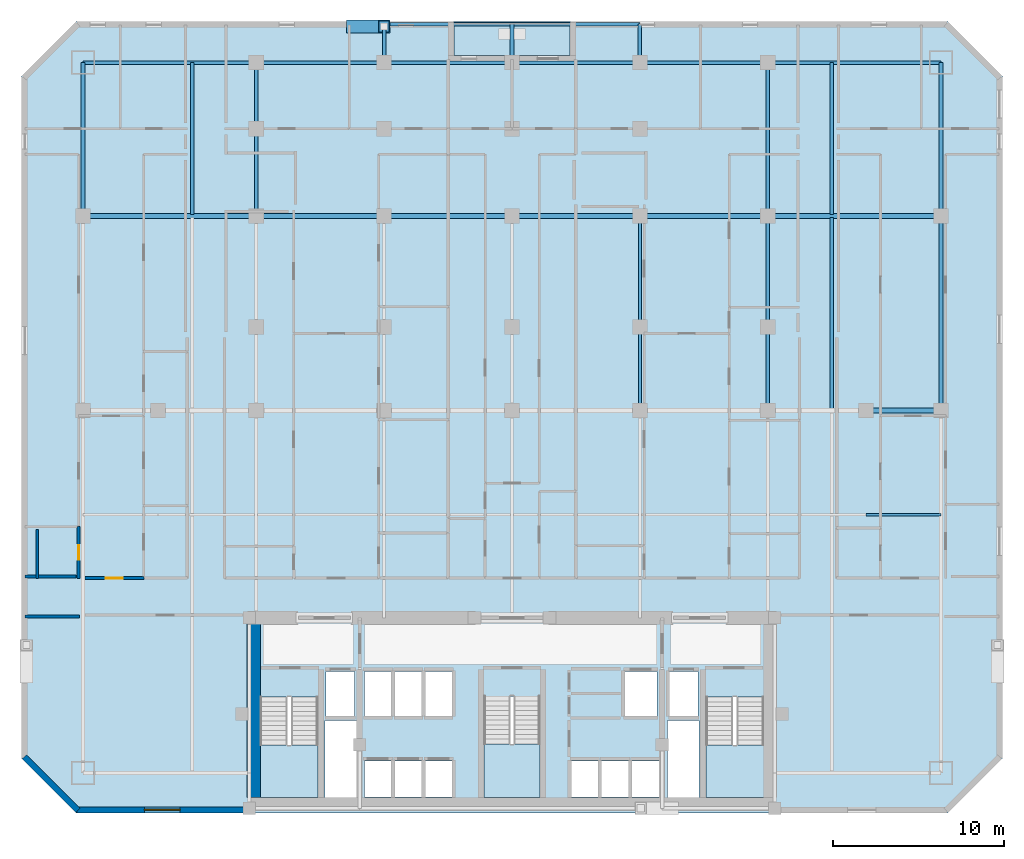
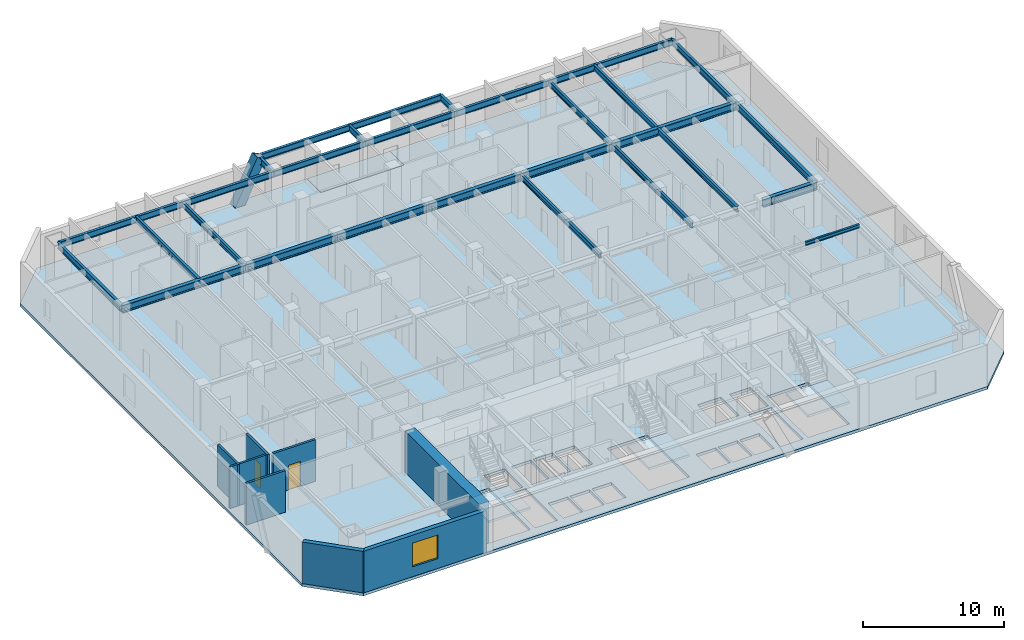
# One storey, part 2 of 10: 29 beams, 8 walls, 5 slabs, 2 doors, 1 member, 1 window, 3 openings, 3 elements without a shape of their own.
"""IFC4 building model written with IfcOpenShell, lengths in metres."""

from ifc_helpers import new_model, si_unit, direction, frame, frame_2d, origin, origin_2d, place, context, subcontext, project, spatial, polyline, rectangle, hollow_rectangle, i_section, outline, extrude, material, layer, layer_set, material_profile, profile_set, type_object, element, fill, aggregate, save


model = new_model("IFC4")

# Units and contexts
model_context = context("Model", 3, precision=1e-05, world=origin(), true_north=direction((0.0, 1.0)))
body_context = subcontext(model_context, "Body", "Model", "MODEL_VIEW")
ifc_project = project(units=[si_unit("LENGTHUNIT", "METRE"), si_unit("AREAUNIT", "SQUARE_METRE"), si_unit("VOLUMEUNIT", "CUBIC_METRE"), si_unit("PLANEANGLEUNIT", "RADIAN"), si_unit("MASSUNIT", "GRAM", prefix="KILO")], contexts=[model_context])

# Site, building, storey
site_placement = place(None, origin())
site = spatial("IfcSite", under=ifc_project, at=site_placement, CompositionType="ELEMENT")
building_placement = place(site_placement, origin())
building = spatial("IfcBuilding", under=site, at=building_placement, Name="Ventersveld Concourse Tower", CompositionType="ELEMENT")
storey_placement = place(building_placement, frame((0.0, 0.0, 41.35009765625)))
storey = spatial("IfcBuildingStorey", under=building, at=storey_placement, Name="L09", CompositionType="ELEMENT", Elevation=41.35009765625)

# Beams
ifc_material_1 = material(Name="Structural steel S355J2", Category="steel")
ifc_material_profile_1 = material_profile(ifc_material_1, i_section(OverallWidth=0.19140625, OverallDepth=0.4599609375, WebThickness=0.010009765625, FlangeThickness=0.01611328125, FilletRadius=0.01025390625, at=origin_2d()), Name="UB 457x191x82")
ifc_profile_set_1 = profile_set([ifc_material_profile_1], Name="Structural steel S355J2")
beam_type_1 = type_object("IfcBeamType", Name="BM-UB457H", PredefinedType="BEAM", material=ifc_profile_set_1)
beam_1_placement = place(storey_placement, frame((10.0, 35.094970703125, 3.369873046875), z_axis=(0.0, 1.0, 0.0), x_axis=(-1.0, 0.0, 0.0)))
element("IfcBeam", 1, at=beam_1_placement, inside=storey, type_object=beam_type_1, Name="L09 N-S Composite Floor Beam North X=10.00", PredefinedType="BEAM", context=body_context, shape_type="SweptSolid", body=[
    extrude(i_section(OverallWidth=0.19140625, OverallDepth=0.4599609375, WebThickness=0.010009765625, FlangeThickness=0.01611328125, FilletRadius=0.01025390625, at=origin_2d()), origin(), (0.0, 0.0, 1.0), 8.905029296875),
])
beam_2_placement = place(storey_placement, frame((13.75, 35.0, 3.369873046875), z_axis=(0.0, 1.0, 0.0), x_axis=(-1.0, 0.0, 0.0)))
element("IfcBeam", 2, at=beam_2_placement, inside=storey, type_object=beam_type_1, Name="L09 N-S Composite Floor Beam North X=13.75", PredefinedType="BEAM", context=body_context, shape_type="SweptSolid", body=[
    extrude(i_section(OverallWidth=0.19140625, OverallDepth=0.4599609375, WebThickness=0.010009765625, FlangeThickness=0.01611328125, FilletRadius=0.01025390625, at=origin_2d()), origin(), (0.0, 0.0, 1.0), 9.0),
])
for number, where, z_axis, x_axis, name in (
    (3, (36.25, 23.60009765625, 3.369873046875), (0.0, 1.0, 0.0), (-1.0, 0.0, 0.0), "L09 N-S Composite Floor Beam Mid X=36.25"),
    (4, (43.75, 23.60009765625, 3.369873046875), (0.0, 1.0, 0.0), (-1.0, 0.0, 0.0), "L09 N-S Composite Floor Beam Mid X=43.75"),
):
    element("IfcBeam", number, at=place(storey_placement, frame(where, z_axis=z_axis, x_axis=x_axis)), inside=storey, type_object=beam_type_1, Name=name, PredefinedType="BEAM", context=body_context, shape_type="SweptSolid", body=[
        extrude(i_section(OverallWidth=0.19140625, OverallDepth=0.4599609375, WebThickness=0.010009765625, FlangeThickness=0.01611328125, FilletRadius=0.01025390625, at=origin_2d()), origin(), (0.0, 0.0, 1.0), 11.39990234375),
    ])
beam_3_placement = place(storey_placement, frame((43.75, 35.0, 3.369873046875), z_axis=(0.0, 1.0, 0.0), x_axis=(-1.0, 0.0, 0.0)))
element("IfcBeam", 5, at=beam_3_placement, inside=storey, type_object=beam_type_1, Name="L09 N-S Composite Floor Beam North X=43.75", PredefinedType="BEAM", context=body_context, shape_type="SweptSolid", body=[
    extrude(i_section(OverallWidth=0.19140625, OverallDepth=0.4599609375, WebThickness=0.010009765625, FlangeThickness=0.01611328125, FilletRadius=0.01025390625, at=origin_2d()), origin(), (0.0, 0.0, 1.0), 9.0),
])
beam_4_placement = place(storey_placement, frame((47.5, 23.695068359375, 3.369873046875), z_axis=(0.0, 1.0, 0.0), x_axis=(-1.0, 0.0, 0.0)))
element("IfcBeam", 6, at=beam_4_placement, inside=storey, type_object=beam_type_1, Name="L09 N-S Composite Floor Beam Mid X=47.50", PredefinedType="BEAM", context=body_context, shape_type="SweptSolid", body=[
    extrude(i_section(OverallWidth=0.19140625, OverallDepth=0.4599609375, WebThickness=0.010009765625, FlangeThickness=0.01611328125, FilletRadius=0.01025390625, at=origin_2d()), origin(), (0.0, 0.0, 1.0), 11.2099609375),
])
beam_5_placement = place(storey_placement, frame((47.5, 35.094970703125, 3.369873046875), z_axis=(0.0, 1.0, 0.0), x_axis=(-1.0, 0.0, 0.0)))
element("IfcBeam", 7, at=beam_5_placement, inside=storey, type_object=beam_type_1, Name="L09 N-S Composite Floor Beam North X=47.50", PredefinedType="BEAM", context=body_context, shape_type="SweptSolid", body=[
    extrude(i_section(OverallWidth=0.19140625, OverallDepth=0.4599609375, WebThickness=0.010009765625, FlangeThickness=0.01611328125, FilletRadius=0.01025390625, at=origin_2d()), origin(), (0.0, 0.0, 1.0), 8.905029296875),
])
ifc_material_profile_2 = material_profile(ifc_material_1, i_section(OverallWidth=0.311279296875, OverallDepth=0.6357421875, WebThickness=0.018310546875, FlangeThickness=0.031494140625, FilletRadius=0.0166015625, at=origin_2d()), Name="UB 610x305x238")
ifc_profile_set_2 = profile_set([ifc_material_profile_2], Name="Structural steel S355J2")
beam_type_2 = type_object("IfcBeamType", Name="GRD-UB610H", PredefinedType="USERDEFINED", material=ifc_profile_set_2)
beam_6_placement = place(storey_placement, frame((49.5, 23.60009765625, 3.281982421875), z_axis=(1.0, 0.0, 0.0), x_axis=(0.0, 1.0, 0.0)))
element("IfcBeam", 8, at=beam_6_placement, inside=storey, type_object=beam_type_2, Name="L09 Primary E-W Grid Girder Y=23.60 #8", ObjectType="GIRDER", PredefinedType="USERDEFINED", context=body_context, shape_type="SweptSolid", body=[
    extrude(i_section(OverallWidth=0.311279296875, OverallDepth=0.6357421875, WebThickness=0.018310546875, FlangeThickness=0.031494140625, FilletRadius=0.0166015625, at=origin_2d()), origin(), (0.0, 0.0, 1.0), 4.39990234375),
])
beam_7_placement = place(storey_placement, frame((3.60009765625, 35.0, 3.281982421875), z_axis=(1.0, 0.0, 0.0), x_axis=(0.0, 1.0, 0.0)))
element("IfcBeam", 9, at=beam_7_placement, inside=storey, type_object=beam_type_2, Name="L09 E-W Grid Girder Y=35.00 #1", ObjectType="GIRDER", PredefinedType="USERDEFINED", context=body_context, shape_type="SweptSolid", body=[
    extrude(i_section(OverallWidth=0.311279296875, OverallDepth=0.6357421875, WebThickness=0.018310546875, FlangeThickness=0.031494140625, FilletRadius=0.0166015625, at=origin_2d()), origin(), (0.0, 0.0, 1.0), 10.14990234375),
])
for number, where, z_axis, x_axis, name in (
    (10, (13.75, 35.0, 3.281982421875), (1.0, 0.0, 0.0), (0.0, 1.0, 0.0), "L09 E-W Grid Girder Y=35.00 #2"),
    (11, (21.25, 35.0, 3.281982421875), (1.0, 0.0, 0.0), (0.0, 1.0, 0.0), "L09 E-W Grid Girder Y=35.00 #3"),
    (12, (28.75, 35.0, 3.281982421875), (1.0, 0.0, 0.0), (0.0, 1.0, 0.0), "L09 E-W Grid Girder Y=35.00 #4"),
    (13, (36.25, 35.0, 3.281982421875), (1.0, 0.0, 0.0), (0.0, 1.0, 0.0), "L09 E-W Grid Girder Y=35.00 #5"),
):
    element("IfcBeam", number, at=place(storey_placement, frame(where, z_axis=z_axis, x_axis=x_axis)), inside=storey, type_object=beam_type_2, Name=name, ObjectType="GIRDER", PredefinedType="USERDEFINED", context=body_context, shape_type="SweptSolid", body=[
        extrude(i_section(OverallWidth=0.311279296875, OverallDepth=0.6357421875, WebThickness=0.018310546875, FlangeThickness=0.031494140625, FilletRadius=0.0166015625, at=origin_2d()), origin(), (0.0, 0.0, 1.0), 7.5),
    ])
beam_8_placement = place(storey_placement, frame((43.75, 35.0, 3.281982421875), z_axis=(1.0, 0.0, 0.0), x_axis=(0.0, 1.0, 0.0)))
element("IfcBeam", 14, at=beam_8_placement, inside=storey, type_object=beam_type_2, Name="L09 E-W Grid Girder Y=35.00 #6", ObjectType="GIRDER", PredefinedType="USERDEFINED", context=body_context, shape_type="SweptSolid", body=[
    extrude(i_section(OverallWidth=0.311279296875, OverallDepth=0.6357421875, WebThickness=0.018310546875, FlangeThickness=0.031494140625, FilletRadius=0.0166015625, at=origin_2d()), origin(), (0.0, 0.0, 1.0), 10.14990234375),
])
ifc_material_profile_3 = material_profile(ifc_material_1, i_section(OverallWidth=0.14990234375, OverallDepth=0.300048828125, WebThickness=0.007080078125, FlangeThickness=0.0107421875, FilletRadius=0.014892578125, at=origin_2d()), Name="IPE 300")
ifc_profile_set_3 = profile_set([ifc_material_profile_3], Name="Structural steel S355J2")
beam_type_3 = type_object("IfcBeamType", Name="JST-IPE300", PredefinedType="JOIST", material=ifc_profile_set_3)
beam_9_placement = place(storey_placement, frame((49.5, 17.5, 3.449951171875), z_axis=(1.0, 0.0, 0.0), x_axis=(0.0, 1.0, 0.0)))
element("IfcBeam", 15, at=beam_9_placement, inside=storey, type_object=beam_type_3, Name="L09 Secondary E-W Floor Joist Y=17.50 #8", PredefinedType="JOIST", context=body_context, shape_type="SweptSolid", body=[
    extrude(i_section(OverallWidth=0.14990234375, OverallDepth=0.300048828125, WebThickness=0.007080078125, FlangeThickness=0.0107421875, FilletRadius=0.014892578125, at=origin_2d()), origin(), (0.0, 0.0, 1.0), 4.39990234375),
])

# Member
ifc_material_2 = material(Name="Structural steel S355ML", Category="steel")
ifc_material_profile_4 = material_profile(ifc_material_2, hollow_rectangle(XDim=0.75, YDim=0.75, WallThickness=0.044921875, at=origin_2d()), Name="BOX 750x750x45")
ifc_profile_set_4 = profile_set([ifc_material_profile_4], Name="Structural steel S355ML")
member_type = type_object("IfcMemberType", Name="MB-750x750", PredefinedType="BRACE", material=ifc_profile_set_4)
member_placement = place(storey_placement, frame((19.375, 46.1201171875, -0.25), z_axis=(0.437861906815, 0.0, 0.899042240699), x_axis=(0.0, 1.0, 0.0)))
element("IfcMember", 16, at=member_placement, inside=storey, type_object=member_type, Name="L09 Exterior Mega-Brace N (Module M01)", PredefinedType="BRACE", context=body_context, shape_type="SweptSolid", body=[
    extrude(hollow_rectangle(XDim=0.75, YDim=0.75, WallThickness=0.044921875, at=origin_2d()), origin(), (0.0, 0.0, 1.0), 4.2822265625),
])

# Beams
ifc_material_profile_5 = material_profile(ifc_material_1, i_section(OverallWidth=0.2119140625, OverallDepth=0.54443359375, WebThickness=0.0126953125, FlangeThickness=0.021240234375, FilletRadius=0.0126953125, at=origin_2d()), Name="UB 533x210x122")
ifc_profile_set_5 = profile_set([ifc_material_profile_5], Name="Structural steel S355J2")
beam_type_4 = type_object("IfcBeamType", Name="SPD-UB533", PredefinedType="SPANDREL", material=ifc_profile_set_5)
beam_10_placement = place(storey_placement, frame((3.60009765625, 35.0, 3.32763671875), z_axis=(0.0, 1.0, 0.0), x_axis=(-1.0, 0.0, 0.0)))
element("IfcBeam", 17, at=beam_10_placement, inside=storey, type_object=beam_type_4, Name="L09 West Spandrel Beam N", PredefinedType="SPANDREL", context=body_context, shape_type="SweptSolid", body=[
    extrude(i_section(OverallWidth=0.2119140625, OverallDepth=0.54443359375, WebThickness=0.0126953125, FlangeThickness=0.021240234375, FilletRadius=0.0126953125, at=origin_2d()), origin(), (0.0, 0.0, 1.0), 9.0),
])
beam_11_placement = place(storey_placement, frame((53.89990234375, 23.60009765625, 3.32763671875), z_axis=(0.0, 1.0, 0.0), x_axis=(-1.0, 0.0, 0.0)))
element("IfcBeam", 18, at=beam_11_placement, inside=storey, type_object=beam_type_4, Name="L09 East Spandrel Beam M", PredefinedType="SPANDREL", context=body_context, shape_type="SweptSolid", body=[
    extrude(i_section(OverallWidth=0.2119140625, OverallDepth=0.54443359375, WebThickness=0.0126953125, FlangeThickness=0.021240234375, FilletRadius=0.0126953125, at=origin_2d()), origin(), (0.0, 0.0, 1.0), 11.39990234375),
])
beam_12_placement = place(storey_placement, frame((53.89990234375, 35.0, 3.32763671875), z_axis=(0.0, 1.0, 0.0), x_axis=(-1.0, 0.0, 0.0)))
element("IfcBeam", 19, at=beam_12_placement, inside=storey, type_object=beam_type_4, Name="L09 East Spandrel Beam N", PredefinedType="SPANDREL", context=body_context, shape_type="SweptSolid", body=[
    extrude(i_section(OverallWidth=0.2119140625, OverallDepth=0.54443359375, WebThickness=0.0126953125, FlangeThickness=0.021240234375, FilletRadius=0.0126953125, at=origin_2d()), origin(), (0.0, 0.0, 1.0), 9.0),
])
for number, where, z_axis, x_axis, name in (
    (20, (21.25, 44.0, 3.32763671875), (0.0, 1.0, 0.0), (-1.0, 0.0, 0.0), "L09 Terrace Bracket W"),
    (21, (28.75, 44.0, 3.32763671875), (0.0, 1.0, 0.0), (-1.0, 0.0, 0.0), "L09 Terrace Bracket C"),
    (22, (36.25, 44.0, 3.32763671875), (0.0, 1.0, 0.0), (-1.0, 0.0, 0.0), "L09 Terrace Bracket E"),
):
    element("IfcBeam", number, at=place(storey_placement, frame(where, z_axis=z_axis, x_axis=x_axis)), inside=storey, type_object=beam_type_4, Name=name, PredefinedType="SPANDREL", context=body_context, shape_type="SweptSolid", body=[
        extrude(i_section(OverallWidth=0.2119140625, OverallDepth=0.54443359375, WebThickness=0.0126953125, FlangeThickness=0.021240234375, FilletRadius=0.0126953125, at=origin_2d()), origin(), (0.0, 0.0, 1.0), 2.25),
    ])
for number, where, z_axis, x_axis, name in (
    (23, (21.25, 46.25, 3.32763671875), (1.0, 0.0, 0.0), (0.0, 1.0, 0.0), "L09 Terrace Edge Spandrel W"),
    (24, (28.75, 46.25, 3.32763671875), (1.0, 0.0, 0.0), (0.0, 1.0, 0.0), "L09 Terrace Edge Spandrel E"),
):
    element("IfcBeam", number, at=place(storey_placement, frame(where, z_axis=z_axis, x_axis=x_axis)), inside=storey, type_object=beam_type_4, Name=name, PredefinedType="SPANDREL", context=body_context, shape_type="SweptSolid", body=[
        extrude(i_section(OverallWidth=0.2119140625, OverallDepth=0.54443359375, WebThickness=0.0126953125, FlangeThickness=0.021240234375, FilletRadius=0.0126953125, at=origin_2d()), origin(), (0.0, 0.0, 1.0), 7.5),
    ])
beam_13_placement = place(storey_placement, frame((3.60009765625, 44.0, 3.32763671875), z_axis=(1.0, 0.0, 0.0), x_axis=(0.0, 1.0, 0.0)))
element("IfcBeam", 25, at=beam_13_placement, inside=storey, type_object=beam_type_4, Name="L09 North Spandrel Girder Y=44.00 #1", PredefinedType="SPANDREL", context=body_context, shape_type="SweptSolid", body=[
    extrude(i_section(OverallWidth=0.2119140625, OverallDepth=0.54443359375, WebThickness=0.0126953125, FlangeThickness=0.021240234375, FilletRadius=0.0126953125, at=origin_2d()), origin(), (0.0, 0.0, 1.0), 10.14990234375),
])
for number, where, z_axis, x_axis, name in (
    (26, (13.75, 44.0, 3.32763671875), (1.0, 0.0, 0.0), (0.0, 1.0, 0.0), "L09 North Spandrel Girder Y=44.00 #2"),
    (27, (21.25, 44.0, 3.32763671875), (1.0, 0.0, 0.0), (0.0, 1.0, 0.0), "L09 North Spandrel Girder Y=44.00 #3"),
    (28, (28.75, 44.0, 3.32763671875), (1.0, 0.0, 0.0), (0.0, 1.0, 0.0), "L09 North Spandrel Girder Y=44.00 #4"),
    (29, (36.25, 44.0, 3.32763671875), (1.0, 0.0, 0.0), (0.0, 1.0, 0.0), "L09 North Spandrel Girder Y=44.00 #5"),
):
    element("IfcBeam", number, at=place(storey_placement, frame(where, z_axis=z_axis, x_axis=x_axis)), inside=storey, type_object=beam_type_4, Name=name, PredefinedType="SPANDREL", context=body_context, shape_type="SweptSolid", body=[
        extrude(i_section(OverallWidth=0.2119140625, OverallDepth=0.54443359375, WebThickness=0.0126953125, FlangeThickness=0.021240234375, FilletRadius=0.0126953125, at=origin_2d()), origin(), (0.0, 0.0, 1.0), 7.5),
    ])
beam_14_placement = place(storey_placement, frame((43.75, 44.0, 3.32763671875), z_axis=(1.0, 0.0, 0.0), x_axis=(0.0, 1.0, 0.0)))
element("IfcBeam", 30, at=beam_14_placement, inside=storey, type_object=beam_type_4, Name="L09 North Spandrel Girder Y=44.00 #6", PredefinedType="SPANDREL", context=body_context, shape_type="SweptSolid", body=[
    extrude(i_section(OverallWidth=0.2119140625, OverallDepth=0.54443359375, WebThickness=0.0126953125, FlangeThickness=0.021240234375, FilletRadius=0.0126953125, at=origin_2d()), origin(), (0.0, 0.0, 1.0), 10.14990234375),
])

# Slabs
ifc_material_3 = material(Name="Concrete C50/60", Category="concrete")
ifc_layer_1 = layer(ifc_material_3, 0.25)
ifc_layer_set_1 = layer_set([ifc_layer_1], Name="Concrete C50/60")
slab_type_1 = type_object("IfcSlabType", Name="SL-FLR-250", PredefinedType="FLOOR", material=ifc_layer_set_1)
slab_1_placement = place(storey_placement, frame((0.0, 0.0, -0.25)))
element("IfcSlab", 31, at=slab_1_placement, inside=storey, type_object=slab_type_1, Name="L09 Composite Floor Slab", PredefinedType="FLOOR", context=body_context, shape_type="SweptSolid", body=[
    extrude(outline(polyline([(3.199951171875, 0.0), (54.300048828125, 0.0), (57.5, 3.199951171875), (57.5, 43.199951171875), (54.300048828125, 46.39990234375), (32.14990234375, 46.39990234375), (32.14990234375, 44.39990234375), (25.35009765625, 44.39990234375), (25.35009765625, 46.39990234375), (3.199951171875, 46.39990234375), (0.0, 43.199951171875), (0.0, 3.199951171875), (3.199951171875, 0.0)]), holes=[polyline([(13.97998046875, 6.794921875), (13.97998046875, 0.89990234375), (17.3798828125, 0.89990234375), (17.3798828125, 6.794921875), (13.97998046875, 6.794921875)]), polyline([(40.1201171875, 6.794921875), (40.1201171875, 0.89990234375), (43.52001953125, 0.89990234375), (43.52001953125, 6.794921875), (40.1201171875, 6.794921875)]), polyline([(27.10009765625, 6.844970703125), (27.10009765625, 0.89990234375), (30.39990234375, 0.89990234375), (30.39990234375, 6.844970703125), (27.10009765625, 6.844970703125)]), polyline([(17.85009765625, 5.699951171875), (19.530029296875, 5.699951171875), (19.530029296875, 8.300048828125), (17.85009765625, 8.300048828125), (17.85009765625, 5.699951171875)]), polyline([(37.969970703125, 5.699951171875), (39.64990234375, 5.699951171875), (39.64990234375, 8.300048828125), (37.969970703125, 8.300048828125), (37.969970703125, 5.699951171875)]), polyline([(35.35009765625, 5.699951171875), (37.25, 5.699951171875), (37.25, 8.300048828125), (35.35009765625, 8.300048828125), (35.35009765625, 5.699951171875)]), polyline([(20.090087890625, 0.949951171875), (21.68994140625, 0.949951171875), (21.68994140625, 3.050048828125), (20.090087890625, 3.050048828125), (20.090087890625, 0.949951171875)]), polyline([(21.8701171875, 0.949951171875), (23.469970703125, 0.949951171875), (23.469970703125, 3.050048828125), (21.8701171875, 3.050048828125), (21.8701171875, 0.949951171875)]), polyline([(23.64990234375, 0.949951171875), (25.25, 0.949951171875), (25.25, 3.050048828125), (23.64990234375, 3.050048828125), (23.64990234375, 0.949951171875)]), polyline([(32.2099609375, 0.949951171875), (33.81005859375, 0.949951171875), (33.81005859375, 3.050048828125), (32.2099609375, 3.050048828125), (32.2099609375, 0.949951171875)]), polyline([(33.989990234375, 0.949951171875), (35.590087890625, 0.949951171875), (35.590087890625, 3.050048828125), (33.989990234375, 3.050048828125), (33.989990234375, 0.949951171875)]), polyline([(35.77001953125, 0.949951171875), (37.3701171875, 0.949951171875), (37.3701171875, 3.050048828125), (35.77001953125, 3.050048828125), (35.77001953125, 0.949951171875)]), polyline([(20.090087890625, 5.699951171875), (21.68994140625, 5.699951171875), (21.68994140625, 8.300048828125), (20.090087890625, 8.300048828125), (20.090087890625, 5.699951171875)]), polyline([(21.8701171875, 5.699951171875), (23.469970703125, 5.699951171875), (23.469970703125, 8.300048828125), (21.8701171875, 8.300048828125), (21.8701171875, 5.699951171875)]), polyline([(23.64990234375, 5.699951171875), (25.25, 5.699951171875), (25.25, 8.300048828125), (23.64990234375, 8.300048828125), (23.64990234375, 5.699951171875)]), polyline([(17.780029296875, 0.919921875), (19.6201171875, 0.919921875), (19.6201171875, 5.419921875), (17.780029296875, 5.419921875), (17.780029296875, 0.919921875)]), polyline([(37.8798828125, 0.919921875), (39.719970703125, 0.919921875), (39.719970703125, 5.419921875), (37.8798828125, 5.419921875), (37.8798828125, 0.919921875)])]), origin(), (0.0, 0.0, 1.0), 0.25),
])
slab_2_placement = place(storey_placement, frame((0.0, 0.0, -0.25)))
element("IfcSlab", 32, at=slab_2_placement, inside=storey, type_object=slab_type_1, Name="L09 Outdoor Terrace Slab NOTCH-N", PredefinedType="FLOOR", context=body_context, shape_type="SweptSolid", body=[
    extrude(outline(polyline([(25.35009765625, 44.39990234375), (32.14990234375, 44.39990234375), (32.14990234375, 46.39990234375), (25.35009765625, 46.39990234375), (25.35009765625, 44.39990234375)])), origin(), (0.0, 0.0, 1.0), 0.25),
])

# Stair, slab
stair_type_1 = type_object("IfcStairType", Name="ST-DOG-160", PredefinedType="HALF_TURN_STAIR", material=ifc_material_3)
stair_1_placement = place(storey_placement, origin())
stair_1 = element("IfcStair", 33, at=stair_1_placement, inside=storey, type_object=stair_type_1, Name="L09 Protected Tower Escape Stair ST-01", PredefinedType="HALF_TURN_STAIR")
ifc_layer_2 = layer(ifc_material_3, 0.199951171875)
ifc_layer_set_2 = layer_set([ifc_layer_2], Name="Concrete C50/60")
slab_type_2 = type_object("IfcSlabType", Name="SL-LND-200", PredefinedType="LANDING", material=ifc_layer_set_2)
slab_3_placement = place(storey_placement, frame((0.0, 0.0, 1.724853515625)))
slab_3 = element("IfcSlab", 34, at=slab_3_placement, type_object=slab_type_2, Name="ST-01 landing 1", PredefinedType="LANDING", context=body_context, shape_type="SweptSolid", body=[
    extrude(outline(polyline([(13.97998046875, 4.0), (13.97998046875, 0.89990234375), (17.3798828125, 0.89990234375), (17.3798828125, 4.0), (13.97998046875, 4.0)])), origin(), (0.0, 0.0, 1.0), 0.199951171875),
])
aggregate(stair_1, [slab_3])

stair_2_placement = place(storey_placement, origin())
stair_2 = element("IfcStair", 35, at=stair_2_placement, inside=storey, type_object=stair_type_1, Name="L09 Protected Tower Escape Stair ST-02", PredefinedType="HALF_TURN_STAIR")
slab_4_placement = place(storey_placement, frame((0.0, 0.0, 1.724853515625)))
slab_4 = element("IfcSlab", 36, at=slab_4_placement, type_object=slab_type_2, Name="ST-02 landing 1", PredefinedType="LANDING", context=body_context, shape_type="SweptSolid", body=[
    extrude(outline(polyline([(40.1201171875, 4.0), (40.1201171875, 0.89990234375), (43.52001953125, 0.89990234375), (43.52001953125, 4.0), (40.1201171875, 4.0)])), origin(), (0.0, 0.0, 1.0), 0.199951171875),
])
aggregate(stair_2, [slab_4])

stair_type_2 = type_object("IfcStairType", Name="ST-DOG-155", PredefinedType="HALF_TURN_STAIR", material=ifc_material_3)
stair_3_placement = place(storey_placement, origin())
stair_3 = element("IfcStair", 37, at=stair_3_placement, inside=storey, type_object=stair_type_2, Name="L09 Protected Central Core Escape Stair ST-03", PredefinedType="HALF_TURN_STAIR")
slab_5_placement = place(storey_placement, frame((0.0, 0.0, 1.724853515625)))
slab_5 = element("IfcSlab", 38, at=slab_5_placement, type_object=slab_type_2, Name="ST-03 landing 1", PredefinedType="LANDING", context=body_context, shape_type="SweptSolid", body=[
    extrude(outline(polyline([(27.10009765625, 4.050048828125), (27.10009765625, 0.89990234375), (30.39990234375, 0.89990234375), (30.39990234375, 4.050048828125), (27.10009765625, 4.050048828125)])), origin(), (0.0, 0.0, 1.0), 0.199951171875),
])
aggregate(stair_3, [slab_5])

# Wall
ifc_material_4 = material(Name="Concrete C60/75", Category="concrete")
ifc_layer_3 = layer(ifc_material_4, 0.800048828125)
ifc_layer_set_3 = layer_set([ifc_layer_3], Name="Concrete C60/75")
wall_type_1 = type_object("IfcWallType", Name="WL-CORE-800", PredefinedType="SHEAR", material=ifc_layer_set_3)
wall_1_placement = place(storey_placement, frame((13.60009765625, 0.919921875, 0.0), z_axis=(0.0, 0.0, 1.0), x_axis=(0.0, 1.0, 0.0)))
element("IfcWall", 39, at=wall_1_placement, inside=storey, type_object=wall_type_1, Name="L09 Rear Core West Shear Wall", PredefinedType="SHEAR", context=body_context, shape_type="SweptSolid", body=[
    extrude(rectangle(XDim=10.530029296875, YDim=0.800048828125, at=frame_2d((5.26513671875, 0.0))), origin(), (0.0, 0.0, 1.0), 3.599853515625),
])

# Wall, opening, door
ifc_material_5 = material(Name="Fire-rated autoclaved aerated masonry blockwork", Category="masonry")
ifc_layer_4 = layer(ifc_material_5, 0.179931640625)
ifc_layer_set_4 = layer_set([ifc_layer_4], Name="Fire-rated autoclaved aerated masonry blockwork")
wall_type_2 = type_object("IfcWallType", Name="WL-CORR-180", PredefinedType="PARTITIONING", material=ifc_layer_set_4)
wall_2_placement = place(storey_placement, frame((3.705078125, 13.77001953125, 0.0), z_axis=(0.0, 0.0, 1.0), x_axis=(1.0, 0.0, 0.0)))
wall_2 = element("IfcWall", 40, at=wall_2_placement, inside=storey, type_object=wall_type_2, Name="L09 Interior Partition SP-L09-COR-SP-L09-09NW-FOY", PredefinedType="PARTITIONING", context=body_context, shape_type="SweptSolid", body=[
    extrude(rectangle(XDim=3.462890625, YDim=0.179931640625, at=frame_2d((1.7314453125, 0.0))), origin(), (0.0, 0.0, 1.0), 3.599853515625),
])
opening_1_placement = place(wall_2_placement, frame((1.2314453125, 0.0, 0.0)))
opening_1 = element("IfcOpeningElement", 41, at=opening_1_placement, cuts=wall_2, Name="Opening FD3", PredefinedType="OPENING", context=body_context, shape_type="SweptSolid", body=[
    extrude(rectangle(XDim=1.0, YDim=2.14990234375, at=frame_2d((0.5, 1.074951171875))), frame((0.0, 0.10009765625, 0.0), z_axis=(0.0, -1.0, 0.0), x_axis=(1.0, 0.0, 0.0)), (0.0, 0.0, 1.0), 0.199951171875),
])
ifc_material_6 = material(Name="Solid-core hardwood veneer timber", Category="wood")
door_type_1 = type_object("IfcDoorType", Name="DR-FLAT-100", OperationType="NOTDEFINED", PredefinedType="DOOR", material=ifc_material_6)
door_1_placement = place(opening_1_placement, origin())
door_1 = element("IfcDoor", 42, at=door_1_placement, inside=storey, type_object=door_type_1, Name="L09 Interior Door SP-L09-COR to SP-L09-09NW-FOY (FD-L09-0308)", OperationType="SINGLE_SWING_RIGHT", OverallHeight=2.14990234375, OverallWidth=1.0, PredefinedType="DOOR", context=body_context, shape_type="SweptSolid", body=[
    extrude(rectangle(XDim=1.0, YDim=2.14990234375, at=frame_2d((0.5, 1.074951171875))), frame((0.0, 0.02490234375, 0.0), z_axis=(0.0, -1.0, 0.0), x_axis=(1.0, 0.0, 0.0)), (0.0, 0.0, 1.0), 0.050048828125),
])
fill(opening_1, door_1)

# Wall
wall_3_placement = place(storey_placement, frame((0.2099609375, 11.52001953125, 0.0), z_axis=(0.0, 0.0, 1.0), x_axis=(1.0, 0.0, 0.0)))
element("IfcWall", 43, at=wall_3_placement, inside=storey, type_object=wall_type_2, Name="L09 Room Enclosure Wall SP-L09-SW-GAL", PredefinedType="PARTITIONING", context=body_context, shape_type="SweptSolid", body=[
    extrude(rectangle(XDim=3.177734375, YDim=0.179931640625, at=frame_2d((1.5888671875, 0.0))), origin(), (0.0, 0.0, 1.0), 3.599853515625),
])

# Wall, opening, window
ifc_material_7 = material(Name="Precast concrete C45/55", Category="concrete")
ifc_layer_5 = layer(ifc_material_7, 0.35009765625)
ifc_layer_set_5 = layer_set([ifc_layer_5], Name="Precast concrete C45/55")
wall_type_3 = type_object("IfcWallType", Name="WL-PREC-350", PredefinedType="SOLIDWALL", material=ifc_layer_set_5)
wall_4_placement = place(storey_placement, frame((3.239990234375, 0.179931640625, 0.0), z_axis=(0.0, 0.0, 1.0), x_axis=(1.0, 0.0, 0.0)))
wall_4 = element("IfcWall", 44, at=wall_4_placement, inside=storey, type_object=wall_type_3, Name="L09 South-West Flank Precast Wall", PredefinedType="SOLIDWALL", context=body_context, shape_type="SweptSolid", body=[
    extrude(rectangle(XDim=10.010009765625, YDim=0.35009765625, at=frame_2d((5.0048828125, 0.0))), origin(), (0.0, 0.0, 1.0), 3.599853515625),
])
opening_2_placement = place(wall_4_placement, frame((3.955078125, 0.0, 0.85009765625)))
opening_2 = element("IfcOpeningElement", 45, at=opening_2_placement, cuts=wall_4, Name="Opening W7", PredefinedType="OPENING", context=body_context, shape_type="SweptSolid", body=[
    extrude(rectangle(XDim=2.10009765625, YDim=2.050048828125, at=frame_2d((1.050048828125, 1.02490234375))), frame((0.0, 0.18505859375, 0.0), z_axis=(0.0, -1.0, 0.0), x_axis=(1.0, 0.0, 0.0)), (0.0, 0.0, 1.0), 0.3701171875),
])
ifc_material_8 = material(Name="Tempered acoustic Low-E IGU", Category="glass")
window_type = type_object("IfcWindowType", Name="WIN-210x205", PartitioningType="SINGLE_PANEL", PredefinedType="WINDOW", material=ifc_material_8)
window_placement = place(opening_2_placement, origin())
window = element("IfcWindow", 46, at=window_placement, inside=storey, type_object=window_type, Name="L09 Punched Low-E Window W-0033", OverallHeight=2.050048828125, OverallWidth=2.10009765625, PartitioningType="SINGLE_PANEL", PredefinedType="WINDOW", context=body_context, shape_type="SweptSolid", body=[
    extrude(rectangle(XDim=2.10009765625, YDim=2.050048828125, at=frame_2d((1.050048828125, 1.02490234375))), frame((0.0, 0.030029296875, 0.0), z_axis=(0.0, -1.0, 0.0), x_axis=(1.0, 0.0, 0.0)), (0.0, 0.0, 1.0), 0.06005859375),
])
fill(opening_2, window)

# Wall
wall_5_placement = place(storey_placement, frame((0.152099609375, 3.29541015625, 0.0), z_axis=(0.0, 0.0, 1.0), x_axis=(0.707106781187, -0.707106781187, 0.0)))
element("IfcWall", 47, at=wall_5_placement, inside=storey, type_object=wall_type_3, Name="L09 Highveld Precast Facade Wall E12", PredefinedType="SOLIDWALL", context=body_context, shape_type="SweptSolid", body=[
    extrude(rectangle(XDim=4.4453125, YDim=0.35009765625, at=frame_2d((2.22265625, 0.0))), origin(), (0.0, 0.0, 1.0), 3.599853515625),
])

# Wall, opening, door
ifc_material_9 = material(Name="Autoclaved aerated masonry blockwork", Category="masonry")
ifc_layer_6 = layer(ifc_material_9, 0.1650390625)
ifc_layer_set_6 = layer_set([ifc_layer_6], Name="Autoclaved aerated masonry blockwork")
wall_type_4 = type_object("IfcWallType", Name="WL-WET-165", PredefinedType="PLUMBINGWALL", material=ifc_layer_set_6)
wall_6_placement = place(storey_placement, frame((3.3408203125, 13.764892578125, 0.0), z_axis=(0.0, 0.0, 1.0), x_axis=(0.0, 1.0, 0.0)))
wall_6 = element("IfcWall", 48, at=wall_6_placement, inside=storey, type_object=wall_type_4, Name="L09 Interior Partition SP-L09-09NW-FOY-SP-L09-09NW-BATH", PredefinedType="PLUMBINGWALL", context=body_context, shape_type="SweptSolid", body=[
    extrude(rectangle(XDim=3.021728515625, YDim=0.1650390625, at=frame_2d((1.5107421875, 0.0))), origin(), (0.0, 0.0, 1.0), 3.599853515625),
])
opening_3_placement = place(wall_6_placement, frame((1.085693359375, 0.0, 0.0)))
opening_3 = element("IfcOpeningElement", 49, at=opening_3_placement, cuts=wall_6, Name="Opening ID2", PredefinedType="OPENING", context=body_context, shape_type="SweptSolid", body=[
    extrude(rectangle(XDim=0.85009765625, YDim=2.10009765625, at=frame_2d((0.425048828125, 1.050048828125))), frame((0.0, 0.092529296875, 0.0), z_axis=(0.0, -1.0, 0.0), x_axis=(1.0, 0.0, 0.0)), (0.0, 0.0, 1.0), 0.18505859375),
])
door_type_2 = type_object("IfcDoorType", Name="DR-BATH-085", OperationType="NOTDEFINED", PredefinedType="DOOR", material=ifc_material_6)
door_2_placement = place(opening_3_placement, origin())
door_2 = element("IfcDoor", 50, at=door_2_placement, inside=storey, type_object=door_type_2, Name="L09 Interior Door SP-L09-09NW-FOY to SP-L09-09NW-BATH (D-L09-0314)", OperationType="SINGLE_SWING_RIGHT", OverallHeight=2.10009765625, OverallWidth=0.85009765625, PredefinedType="DOOR", context=body_context, shape_type="SweptSolid", body=[
    extrude(rectangle(XDim=0.85009765625, YDim=2.10009765625, at=frame_2d((0.425048828125, 1.050048828125))), frame((0.0, 0.02490234375, 0.0), z_axis=(0.0, -1.0, 0.0), x_axis=(1.0, 0.0, 0.0)), (0.0, 0.0, 1.0), 0.050048828125),
])
fill(opening_3, door_2)

# Walls
wall_7_placement = place(storey_placement, frame((3.17578125, 13.860107421875, 0.0), z_axis=(0.0, 0.0, 1.0), x_axis=(-1.0, 0.0, 0.0)))
element("IfcWall", 51, at=wall_7_placement, inside=storey, type_object=wall_type_4, Name="L09 Room Enclosure Wall SP-L09-09NW-BATH", PredefinedType="PLUMBINGWALL", context=body_context, shape_type="SweptSolid", body=[
    extrude(rectangle(XDim=2.9658203125, YDim=0.1650390625, at=frame_2d((1.48291015625, 0.0))), origin(), (0.0, 0.0, 1.0), 3.599853515625),
])
wall_8_placement = place(storey_placement, frame((0.919921875, 13.764892578125, 0.0), z_axis=(0.0, 0.0, 1.0), x_axis=(0.0, 1.0, 0.0)))
element("IfcWall", 52, at=wall_8_placement, inside=storey, type_object=wall_type_4, Name="L09 Room Enclosure Wall SP-L09-09NW-BATH", PredefinedType="PLUMBINGWALL", context=body_context, shape_type="SweptSolid", body=[
    extrude(rectangle(XDim=2.8515625, YDim=0.1650390625, at=frame_2d((1.42578125, 0.0))), origin(), (0.0, 0.0, 1.0), 3.599853515625),
])

save(model, "model.ifc")
